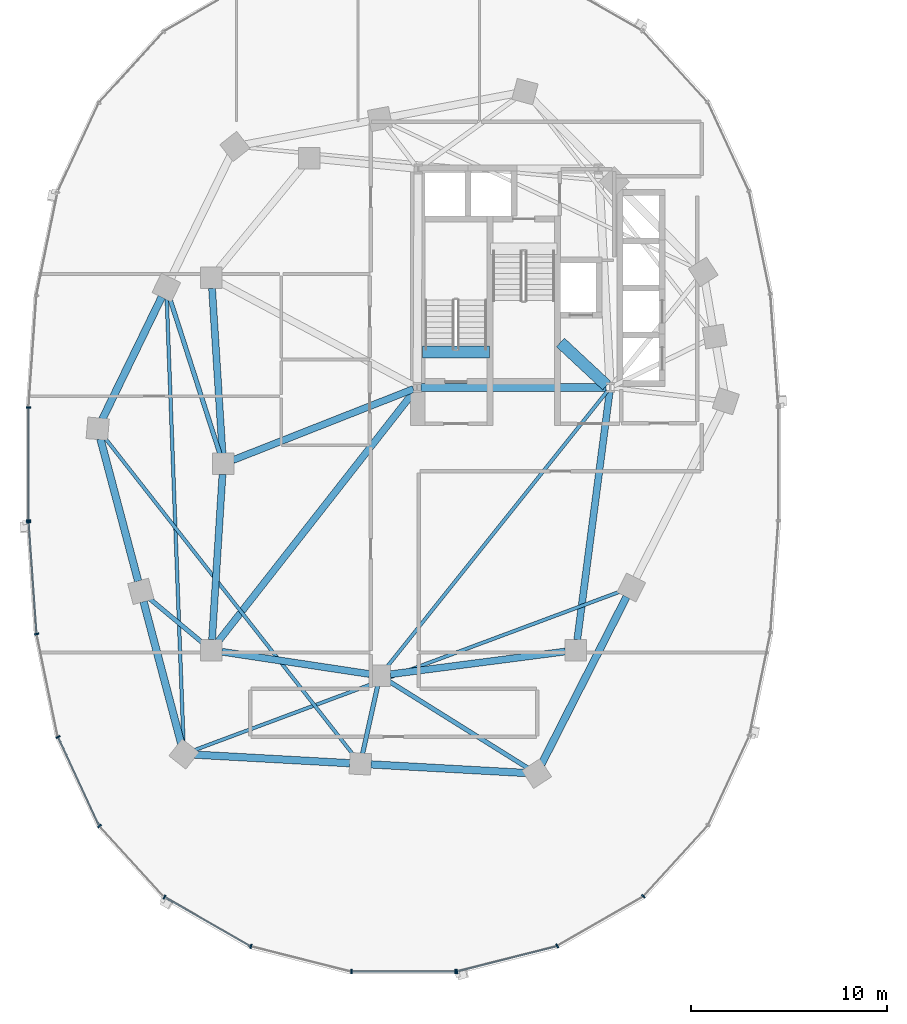
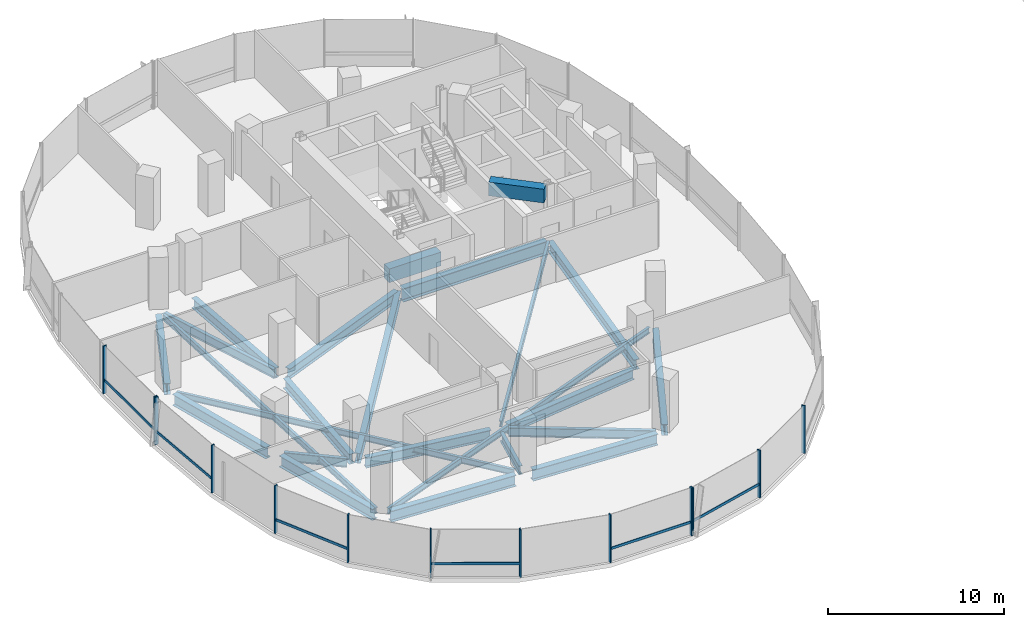
# One storey, part 2 of 21: 24 beams, 19 members, 3 elements without a shape of their own.
"""IFC4 building model written with IfcOpenShell, lengths in metres."""

from ifc_helpers import new_model, si_unit, direction, frame, origin, origin_2d, place, context, subcontext, project, spatial, rectangle, i_section, extrude, material, material_profile, profile_set, type_object, element, aggregate, save


model = new_model("IFC4")

# Units and contexts
model_context = context("Model", 3, precision=1e-05, world=origin(), true_north=direction((0.0, 1.0)))
body_context = subcontext(model_context, "Body", "Model", "MODEL_VIEW")
ifc_project = project(units=[si_unit("LENGTHUNIT", "METRE"), si_unit("AREAUNIT", "SQUARE_METRE"), si_unit("VOLUMEUNIT", "CUBIC_METRE"), si_unit("PLANEANGLEUNIT", "RADIAN"), si_unit("MASSUNIT", "GRAM", prefix="KILO"), si_unit("THERMODYNAMICTEMPERATUREUNIT", "KELVIN"), si_unit("POWERUNIT", "WATT")], contexts=[model_context])

# Site, building, storey
site_placement = place(None, origin())
site = spatial("IfcSite", under=ifc_project, at=site_placement, CompositionType="ELEMENT")
building_placement = place(site_placement, origin())
building = spatial("IfcBuilding", under=site, at=building_placement, Name="Cundina Bronze Exchange", CompositionType="ELEMENT")
storey_placement = place(building_placement, frame((0.0, 0.0, 96.199951171875)))
storey = spatial("IfcBuildingStorey", under=building, at=storey_placement, Name="L24", CompositionType="ELEMENT", Elevation=96.199951171875)

# Beams
ifc_material_1 = material(Name="Concrete C60/75", Category="concrete")
ifc_material_profile_1 = material_profile(ifc_material_1, rectangle(XDim=0.60009765625, YDim=0.949951171875, at=origin_2d()), Name="RC600X950", Category="concrete")
ifc_profile_set_1 = profile_set([ifc_material_profile_1], Name="Concrete C60/75")
beam_type_1 = type_object("IfcBeamType", Name="BM-COUP-RC950", PredefinedType="LINTEL", material=ifc_profile_set_1)
beam_1_placement = place(storey_placement, frame((-31.02001953125, 5.719970703125, -0.474853515625), z_axis=(1.0, 0.0, 0.0), x_axis=(0.0, 1.0, 0.0)))
element("IfcBeam", 1, at=beam_1_placement, inside=storey, type_object=beam_type_1, Name="L24 Stair W1 Landing Header Beam", PredefinedType="LINTEL", context=body_context, shape_type="SweptSolid", body=[
    extrude(rectangle(XDim=0.60009765625, YDim=0.949951171875, at=origin_2d()), origin(), (0.0, 0.0, 1.0), 3.39990234375),
])
beam_2_placement = place(storey_placement, frame((-23.989990234375, 6.199951171875, 2.824951171875), z_axis=(0.731490439815, -0.681851696822, 0.0), x_axis=(0.681851696822, 0.731490439815, 0.0)))
element("IfcBeam", 2, at=beam_2_placement, inside=storey, type_object=beam_type_1, Name="L24 W Core Shear Coupling Lintel Beam", PredefinedType="LINTEL", context=body_context, shape_type="SweptSolid", body=[
    extrude(rectangle(XDim=0.60009765625, YDim=0.949951171875, at=origin_2d()), origin(), (0.0, 0.0, 1.0), 3.226318359375),
])
ifc_material_2 = material(Name="Steel ASTM A992 Grade 50", Category="steel")
ifc_material_profile_2 = material_profile(ifc_material_2, i_section(OverallWidth=0.22998046875, OverallDepth=0.616943359375, WebThickness=0.01318359375, FlangeThickness=0.022216796875, FilletRadius=0.013916015625, at=origin_2d()), Name="W24X94", Category="steel")
ifc_profile_set_2 = profile_set([ifc_material_profile_2], Name="Steel ASTM A992 Grade 50")
beam_type_2 = type_object("IfcBeamType", Name="BM-FLR-W24B", PredefinedType="BEAM", material=ifc_profile_set_2)
beam_3_placement = place(storey_placement, frame((-41.364990234375, 0.51220703125, -0.6083984375), z_axis=(-0.306710777581, 0.951802762612, 0.0), x_axis=(-0.951802762612, -0.306710777581, 0.0)))
element("IfcBeam", 3, at=beam_3_placement, inside=storey, type_object=beam_type_2, Name="L24 Leg W Radial Floor Beam 07", PredefinedType="BEAM", context=body_context, shape_type="SweptSolid", body=[
    extrude(i_section(OverallWidth=0.22998046875, OverallDepth=0.616943359375, WebThickness=0.01318359375, FlangeThickness=0.022216796875, FilletRadius=0.013916015625, at=origin_2d()), origin(), (0.0, 0.0, 1.0), 8.37939453125),
])
beam_4_placement = place(storey_placement, frame((-42.21337890625, -9.155517578125, -0.6083984375), z_axis=(-0.768243451945, 0.640157791911, 0.0), x_axis=(-0.640157791911, -0.768243451945, 0.0)))
element("IfcBeam", 4, at=beam_4_placement, inside=storey, type_object=beam_type_2, Name="L24 Leg W Radial Floor Beam 09", PredefinedType="BEAM", context=body_context, shape_type="SweptSolid", body=[
    extrude(i_section(OverallWidth=0.22998046875, OverallDepth=0.616943359375, WebThickness=0.01318359375, FlangeThickness=0.022216796875, FilletRadius=0.013916015625, at=origin_2d()), origin(), (0.0, 0.0, 1.0), 3.610107421875),
])
beam_5_placement = place(storey_placement, frame((-33.316650390625, -11.3251953125, -0.6083984375), z_axis=(-0.216930457819, -0.976187060184, 0.0), x_axis=(0.976187060184, -0.216930457819, 0.0)))
element("IfcBeam", 5, at=beam_5_placement, inside=storey, type_object=beam_type_2, Name="L24 Leg W Radial Floor Beam 11", PredefinedType="BEAM", context=body_context, shape_type="SweptSolid", body=[
    extrude(i_section(OverallWidth=0.22998046875, OverallDepth=0.616943359375, WebThickness=0.01318359375, FlangeThickness=0.022216796875, FilletRadius=0.013916015625, at=origin_2d()), origin(), (0.0, 0.0, 1.0), 3.533935546875),
])
beam_6_placement = place(storey_placement, frame((-32.743896484375, -11.085205078125, -0.6083984375), z_axis=(0.848003227047, -0.529991063055, 0.0), x_axis=(0.529991063055, 0.848003227047, 0.0)))
element("IfcBeam", 6, at=beam_6_placement, inside=storey, type_object=beam_type_2, Name="L24 Leg W Radial Floor Beam 12", PredefinedType="BEAM", context=body_context, shape_type="SweptSolid", body=[
    extrude(i_section(OverallWidth=0.22998046875, OverallDepth=0.616943359375, WebThickness=0.01318359375, FlangeThickness=0.022216796875, FilletRadius=0.013916015625, at=origin_2d()), origin(), (0.0, 0.0, 1.0), 8.358154296875),
])
ifc_material_profile_3 = material_profile(ifc_material_2, i_section(OverallWidth=0.178955078125, OverallDepth=0.409912109375, WebThickness=0.0087890625, FlangeThickness=0.014404296875, FilletRadius=0.010986328125, at=origin_2d()), Name="W16X45", Category="steel")
ifc_profile_set_3 = profile_set([ifc_material_profile_3], Name="Steel ASTM A992 Grade 50")
beam_type_3 = type_object("IfcBeamType", Name="BM-JST-W16", PredefinedType="JOIST", material=ifc_profile_set_3)
beam_7_placement = place(storey_placement, frame((-21.577392578125, 3.740478515625, -0.5048828125), z_axis=(-0.62436887964, -0.781129632095, 0.0), x_axis=(0.781129632095, -0.62436887964, 0.0)))
element("IfcBeam", 7, at=beam_7_placement, inside=storey, type_object=beam_type_3, Name="L24 W Interior Core-to-Ring Joist 2", PredefinedType="JOIST", context=body_context, shape_type="SweptSolid", body=[
    extrude(i_section(OverallWidth=0.178955078125, OverallDepth=0.409912109375, WebThickness=0.0087890625, FlangeThickness=0.014404296875, FilletRadius=0.010986328125, at=origin_2d()), origin(), (0.0, 0.0, 1.0), 18.076904296875),
])
beam_8_placement = place(storey_placement, frame((-44.07958984375, 8.46240234375, -0.5048828125), z_axis=(0.03778951385, -0.999285721224, 0.0), x_axis=(0.999285721224, 0.03778951385, 0.0)))
element("IfcBeam", 8, at=beam_8_placement, inside=storey, type_object=beam_type_3, Name="L24 Leg W Lobe Floor Joist 07-10", PredefinedType="JOIST", context=body_context, shape_type="SweptSolid", body=[
    extrude(i_section(OverallWidth=0.178955078125, OverallDepth=0.409912109375, WebThickness=0.0087890625, FlangeThickness=0.014404296875, FilletRadius=0.010986328125, at=origin_2d()), origin(), (0.0, 0.0, 1.0), 22.7412109375),
])
beam_9_placement = place(storey_placement, frame((-47.268310546875, 1.37646484375, -0.5048828125), z_axis=(0.616815348306, -0.787107887201, 0.0), x_axis=(0.787107887201, 0.616815348306, 0.0)))
element("IfcBeam", 9, at=beam_9_placement, inside=storey, type_object=beam_type_3, Name="L24 Leg W Lobe Floor Joist 08-11", PredefinedType="JOIST", context=body_context, shape_type="SweptSolid", body=[
    extrude(i_section(OverallWidth=0.178955078125, OverallDepth=0.409912109375, WebThickness=0.0087890625, FlangeThickness=0.014404296875, FilletRadius=0.010986328125, at=origin_2d()), origin(), (0.0, 0.0, 1.0), 20.64892578125),
])
beam_10_placement = place(storey_placement, frame((-42.69580078125, -14.6123046875, -0.5048828125), z_axis=(0.937127917421, 0.348986054721, 0.0), x_axis=(-0.348986054721, 0.937127917421, 0.0)))
element("IfcBeam", 10, at=beam_10_placement, inside=storey, type_object=beam_type_3, Name="L24 Leg W Lobe Floor Joist 10-13", PredefinedType="JOIST", context=body_context, shape_type="SweptSolid", body=[
    extrude(i_section(OverallWidth=0.178955078125, OverallDepth=0.409912109375, WebThickness=0.0087890625, FlangeThickness=0.014404296875, FilletRadius=0.010986328125, at=origin_2d()), origin(), (0.0, 0.0, 1.0), 23.2802734375),
])
ifc_material_profile_4 = material_profile(ifc_material_2, i_section(OverallWidth=0.35498046875, OverallDepth=0.695068359375, WebThickness=0.015380859375, FlangeThickness=0.02490234375, FilletRadius=0.01806640625, at=origin_2d()), Name="W27X146", Category="steel")
ifc_profile_set_4 = profile_set([ifc_material_profile_4], Name="Steel ASTM A992 Grade 50")
beam_type_4 = type_object("IfcBeamType", Name="BM-RING-W27", PredefinedType="USERDEFINED", material=ifc_profile_set_4)
for number, where, z_axis, x_axis, name in (
    (11, (-41.76611328125, 8.963134765625, -0.6474609375), (0.06303715519, -0.998011180832, 0.0), (0.998011180832, 0.06303715519, 0.0), "L24 W Inner Structural Ring Girder 03"),
    (12, (-41.23388671875, -0.536865234375, -0.6474609375), (-0.06303715519, -0.998011180832, 0.0), (0.998011180832, -0.06303715519, 0.0), "L24 W Inner Structural Ring Girder 04"),
):
    element("IfcBeam", number, at=place(storey_placement, frame(where, z_axis=z_axis, x_axis=x_axis)), inside=storey, type_object=beam_type_4, Name=name, ObjectType="GIRDER", PredefinedType="USERDEFINED", context=body_context, shape_type="SweptSolid", body=[
        extrude(i_section(OverallWidth=0.35498046875, OverallDepth=0.695068359375, WebThickness=0.015380859375, FlangeThickness=0.02490234375, FilletRadius=0.01806640625, at=origin_2d()), origin(), (0.0, 0.0, 1.0), 8.443115234375),
    ])
beam_11_placement = place(storey_placement, frame((-41.26806640625, -9.580322265625, -0.6474609375), z_axis=(0.988767489563, -0.149461873341, 0.0), x_axis=(0.149461873341, 0.988767489563, 0.0)))
element("IfcBeam", 13, at=beam_11_placement, inside=storey, type_object=beam_type_4, Name="L24 W Inner Structural Ring Girder 05", ObjectType="GIRDER", PredefinedType="USERDEFINED", context=body_context, shape_type="SweptSolid", body=[
    extrude(i_section(OverallWidth=0.35498046875, OverallDepth=0.695068359375, WebThickness=0.015380859375, FlangeThickness=0.02490234375, FilletRadius=0.01806640625, at=origin_2d()), origin(), (0.0, 0.0, 1.0), 7.621826171875),
])
beam_12_placement = place(storey_placement, frame((-32.66650390625, -10.730712890625, -0.6474609375), z_axis=(0.991654577907, 0.128923225666, 0.0), x_axis=(-0.128923225666, 0.991654577907, 0.0)))
element("IfcBeam", 14, at=beam_12_placement, inside=storey, type_object=beam_type_4, Name="L24 W Inner Structural Ring Girder 06", ObjectType="GIRDER", PredefinedType="USERDEFINED", context=body_context, shape_type="SweptSolid", body=[
    extrude(i_section(OverallWidth=0.35498046875, OverallDepth=0.695068359375, WebThickness=0.015380859375, FlangeThickness=0.02490234375, FilletRadius=0.01806640625, at=origin_2d()), origin(), (0.0, 0.0, 1.0), 9.00830078125),
])
beam_13_placement = place(storey_placement, frame((-23.13037109375, -8.966552734375, -0.6474609375), z_axis=(0.129507526533, 0.99157843894, 0.0), x_axis=(-0.99157843894, 0.129507526533, 0.0)))
element("IfcBeam", 15, at=beam_13_placement, inside=storey, type_object=beam_type_4, Name="L24 W Inner Structural Ring Girder 07", ObjectType="GIRDER", PredefinedType="USERDEFINED", context=body_context, shape_type="SweptSolid", body=[
    extrude(i_section(OverallWidth=0.35498046875, OverallDepth=0.695068359375, WebThickness=0.015380859375, FlangeThickness=0.02490234375, FilletRadius=0.01806640625, at=origin_2d()), origin(), (0.0, 0.0, 1.0), 12.77197265625),
])
beam_14_placement = place(storey_placement, frame((-31.48974609375, 3.8251953125, -0.6474609375), z_axis=(-0.930413235418, -0.366512225388, 0.0), x_axis=(0.366512225388, -0.930413235418, 0.0)))
element("IfcBeam", 16, at=beam_14_placement, inside=storey, type_object=beam_type_4, Name="L24 W Core-to-Waist Tie Beam 1", ObjectType="GIRDER", PredefinedType="USERDEFINED", context=body_context, shape_type="SweptSolid", body=[
    extrude(i_section(OverallWidth=0.35498046875, OverallDepth=0.695068359375, WebThickness=0.015380859375, FlangeThickness=0.02490234375, FilletRadius=0.01806640625, at=origin_2d()), origin(), (0.0, 0.0, 1.0), 9.8984375),
])
beam_15_placement = place(storey_placement, frame((-31.42578125, 3.739501953125, -0.6474609375), z_axis=(-0.616789275748, -0.787128318206, 0.0), x_axis=(0.787128318206, -0.616789275748, 0.0)))
element("IfcBeam", 17, at=beam_15_placement, inside=storey, type_object=beam_type_4, Name="L24 W Core-to-Waist Tie Beam 3", ObjectType="GIRDER", PredefinedType="USERDEFINED", context=body_context, shape_type="SweptSolid", body=[
    extrude(i_section(OverallWidth=0.35498046875, OverallDepth=0.695068359375, WebThickness=0.015380859375, FlangeThickness=0.02490234375, FilletRadius=0.01806640625, at=origin_2d()), origin(), (0.0, 0.0, 1.0), 16.281982421875),
])
ifc_material_profile_5 = material_profile(ifc_material_2, i_section(OverallWidth=0.381103515625, OverallDepth=0.77294921875, WebThickness=0.0166015625, FlangeThickness=0.027099609375, FilletRadius=0.01904296875, at=origin_2d()), Name="W30X173", Category="steel")
ifc_profile_set_5 = profile_set([ifc_material_profile_5], Name="Steel ASTM A992 Grade 50")
beam_type_5 = type_object("IfcBeamType", Name="BM-RING-W30", PredefinedType="USERDEFINED", material=ifc_profile_set_5)
beam_16_placement = place(storey_placement, frame((-44.335205078125, 8.51611328125, -0.6865234375), z_axis=(-0.437193894283, -0.899367276924, 0.0), x_axis=(0.899367276924, -0.437193894283, 0.0)))
element("IfcBeam", 18, at=beam_16_placement, inside=storey, type_object=beam_type_5, Name="L24 W Perimeter Ring Girder 07", ObjectType="GIRDER", PredefinedType="USERDEFINED", context=body_context, shape_type="SweptSolid", body=[
    extrude(i_section(OverallWidth=0.381103515625, OverallDepth=0.77294921875, WebThickness=0.0166015625, FlangeThickness=0.027099609375, FilletRadius=0.01904296875, at=origin_2d()), origin(), (0.0, 0.0, 1.0), 6.929443359375),
])
for number, where, z_axis, x_axis, name in (
    (19, (-47.462158203125, 1.280029296875, -0.6865234375), (0.256209719931, -0.966621218168, 0.0), (0.966621218168, 0.256209719931, 0.0), "L24 W Perimeter Ring Girder 08"),
    (20, (-45.26220703125, -7.02001953125, -0.6865234375), (0.256209719931, -0.966621218168, 0.0), (0.966621218168, 0.256209719931, 0.0), "L24 W Perimeter Ring Girder 09"),
):
    element("IfcBeam", number, at=place(storey_placement, frame(where, z_axis=z_axis, x_axis=x_axis)), inside=storey, type_object=beam_type_5, Name=name, ObjectType="GIRDER", PredefinedType="USERDEFINED", context=body_context, shape_type="SweptSolid", body=[
        extrude(i_section(OverallWidth=0.381103515625, OverallDepth=0.77294921875, WebThickness=0.0166015625, FlangeThickness=0.027099609375, FilletRadius=0.01904296875, at=origin_2d()), origin(), (0.0, 0.0, 1.0), 7.5107421875),
    ])
for number, where, z_axis, x_axis, name in (
    (21, (-42.662841796875, -14.829833984375, -0.6865234375), (0.99845950136, -0.055485350721, 0.0), (0.055485350721, 0.99845950136, 0.0), "L24 W Perimeter Ring Girder 10"),
    (22, (-33.662841796875, -15.329833984375, -0.6865234375), (0.99845950136, -0.055485350721, 0.0), (0.055485350721, 0.99845950136, 0.0), "L24 W Perimeter Ring Girder 11"),
):
    element("IfcBeam", number, at=place(storey_placement, frame(where, z_axis=z_axis, x_axis=x_axis)), inside=storey, type_object=beam_type_5, Name=name, ObjectType="GIRDER", PredefinedType="USERDEFINED", context=body_context, shape_type="SweptSolid", body=[
        extrude(i_section(OverallWidth=0.381103515625, OverallDepth=0.77294921875, WebThickness=0.0166015625, FlangeThickness=0.027099609375, FilletRadius=0.01904296875, at=origin_2d()), origin(), (0.0, 0.0, 1.0), 7.937744140625),
    ])
beam_17_placement = place(storey_placement, frame((-24.956298828125, -15.3203125, -0.6865234375), z_axis=(0.452832332744, 0.891595692241, 0.0), x_axis=(-0.891595692241, 0.452832332744, 0.0)))
element("IfcBeam", 23, at=beam_17_placement, inside=storey, type_object=beam_type_5, Name="L24 W Perimeter Ring Girder 12", ObjectType="GIRDER", PredefinedType="USERDEFINED", context=body_context, shape_type="SweptSolid", body=[
    extrude(i_section(OverallWidth=0.381103515625, OverallDepth=0.77294921875, WebThickness=0.0166015625, FlangeThickness=0.027099609375, FilletRadius=0.01904296875, at=origin_2d()), origin(), (0.0, 0.0, 1.0), 9.578857421875),
])
ifc_material_profile_6 = material_profile(ifc_material_2, i_section(OverallWidth=0.41796875, OverallDepth=0.927001953125, WebThickness=0.019287109375, FlangeThickness=0.031982421875, FilletRadius=0.02392578125, at=origin_2d()), Name="W36X231", Category="steel")
ifc_profile_set_6 = profile_set([ifc_material_profile_6], Name="Steel ASTM A992 Grade 50")
beam_type_6 = type_object("IfcBeamType", Name="BM-WRN-W36B", PredefinedType="USERDEFINED", material=ifc_profile_set_6)
beam_18_placement = place(storey_placement, frame((-31.095947265625, 3.89990234375, -0.763427734375), z_axis=(1.0, 0.0, 0.0), x_axis=(0.0, 1.0, 0.0)))
element("IfcBeam", 24, at=beam_18_placement, inside=storey, type_object=beam_type_6, Name="L24 W Core Perimeter Tie Girder 1", ObjectType="GIRDER", PredefinedType="USERDEFINED", context=body_context, shape_type="SweptSolid", body=[
    extrude(i_section(OverallWidth=0.41796875, OverallDepth=0.927001953125, WebThickness=0.019287109375, FlangeThickness=0.031982421875, FilletRadius=0.02392578125, at=origin_2d()), origin(), (0.0, 0.0, 1.0), 9.44189453125),
])

# Curtain wall, members
ifc_material_3 = material(Name="Anodised Bronze Aluminium 6063-T6", Category="aluminium")
curtain_wall_type = type_object("IfcCurtainWallType", Name="CWS-TRD-MID", PredefinedType="NOTDEFINED", material=ifc_material_3)
curtain_wall_1_placement = place(storey_placement, origin())
curtain_wall_1 = element("IfcCurtainWall", 25, at=curtain_wall_1_placement, inside=storey, type_object=curtain_wall_type, Name="L24 CW-03 Curtain Wall Run CWR-L24-W2", PredefinedType="NOTDEFINED")
ifc_material_profile_7 = material_profile(ifc_material_3, rectangle(XDim=0.074951171875, YDim=0.219970703125, at=origin_2d()), Name="AL75X220", Category="aluminium")
ifc_profile_set_7 = profile_set([ifc_material_profile_7], Name="Anodised Bronze Aluminium 6063-T6")
member_type_1 = type_object("IfcMemberType", Name="CWM-MUL-220", PredefinedType="MULLION", material=ifc_profile_set_7)
member_1_placement = place(storey_placement, frame((-51.1279296875, 2.880615234375, 0.0), z_axis=(0.0, 0.0, 1.0), x_axis=(0.0, -1.0, 0.0)))
member_1 = element("IfcMember", 26, at=member_1_placement, type_object=member_type_1, Name="CW-03 Mullion 7", PredefinedType="MULLION", context=body_context, shape_type="SweptSolid", body=[
    extrude(rectangle(XDim=0.074951171875, YDim=0.219970703125, at=origin_2d()), origin(), (0.0, 0.0, 1.0), 3.300048828125),
])
member_2_placement = place(storey_placement, frame((-51.1279296875, -2.880615234375, 0.0), z_axis=(0.0, 0.0, 1.0), x_axis=(0.0, -1.0, 0.0)))
member_2 = element("IfcMember", 27, at=member_2_placement, type_object=member_type_1, Name="CW-03 End Mullion", PredefinedType="MULLION", context=body_context, shape_type="SweptSolid", body=[
    extrude(rectangle(XDim=0.074951171875, YDim=0.219970703125, at=origin_2d()), origin(), (0.0, 0.0, 1.0), 3.300048828125),
])

curtain_wall_2_placement = place(storey_placement, origin())
curtain_wall_2 = element("IfcCurtainWall", 28, at=curtain_wall_2_placement, inside=storey, type_object=curtain_wall_type, Name="L24 CW-03 Curtain Wall Run CWR-L24-W3", PredefinedType="NOTDEFINED")
member_3_placement = place(storey_placement, frame((-51.12451171875, -2.976318359375, 0.0), z_axis=(0.0, 0.0, 1.0), x_axis=(0.070278787473, -0.997527389113, 0.0)))
member_3 = element("IfcMember", 29, at=member_3_placement, type_object=member_type_1, Name="CW-03 Mullion 1", PredefinedType="MULLION", context=body_context, shape_type="SweptSolid", body=[
    extrude(rectangle(XDim=0.074951171875, YDim=0.219970703125, at=origin_2d()), origin(), (0.0, 0.0, 1.0), 3.300048828125),
])
member_4_placement = place(storey_placement, frame((-50.717041015625, -8.67822265625, 0.0), z_axis=(0.0, 0.0, 1.0), x_axis=(0.201419845156, -0.979505000486, 0.0)))
member_4 = element("IfcMember", 30, at=member_4_placement, type_object=member_type_1, Name="CW-03 Mullion 2", PredefinedType="MULLION", context=body_context, shape_type="SweptSolid", body=[
    extrude(rectangle(XDim=0.074951171875, YDim=0.219970703125, at=origin_2d()), origin(), (0.0, 0.0, 1.0), 3.300048828125),
])
member_5_placement = place(storey_placement, frame((-49.6279296875, -13.931884765625, 0.0), z_axis=(0.0, 0.0, 1.0), x_axis=(0.42087749791, -0.907117485088, 0.0)))
member_5 = element("IfcMember", 31, at=member_5_placement, type_object=member_type_1, Name="CW-03 Mullion 3", PredefinedType="MULLION", context=body_context, shape_type="SweptSolid", body=[
    extrude(rectangle(XDim=0.074951171875, YDim=0.219970703125, at=origin_2d()), origin(), (0.0, 0.0, 1.0), 3.300048828125),
])
member_6_placement = place(storey_placement, frame((-47.508544921875, -18.47705078125, 0.0), z_axis=(0.0, 0.0, 1.0), x_axis=(0.674302387584, -0.738455340626, 0.0)))
member_6 = element("IfcMember", 32, at=member_6_placement, type_object=member_type_1, Name="CW-03 Mullion 4", PredefinedType="MULLION", context=body_context, shape_type="SweptSolid", body=[
    extrude(rectangle(XDim=0.074951171875, YDim=0.219970703125, at=origin_2d()), origin(), (0.0, 0.0, 1.0), 3.300048828125),
])
member_7_placement = place(storey_placement, frame((-44.189697265625, -22.097412109375, 0.0), z_axis=(0.0, 0.0, 1.0), x_axis=(0.867070701164, -0.498185105339, 0.0)))
member_7 = element("IfcMember", 33, at=member_7_placement, type_object=member_type_1, Name="CW-03 Mullion 5", PredefinedType="MULLION", context=body_context, shape_type="SweptSolid", body=[
    extrude(rectangle(XDim=0.074951171875, YDim=0.219970703125, at=origin_2d()), origin(), (0.0, 0.0, 1.0), 3.300048828125),
])
member_8_placement = place(storey_placement, frame((-39.78515625, -24.61669921875, 0.0), z_axis=(0.0, 0.0, 1.0), x_axis=(0.969488149345, -0.245138182011, 0.0)))
member_8 = element("IfcMember", 34, at=member_8_placement, type_object=member_type_1, Name="CW-03 Mullion 6", PredefinedType="MULLION", context=body_context, shape_type="SweptSolid", body=[
    extrude(rectangle(XDim=0.074951171875, YDim=0.219970703125, at=origin_2d()), origin(), (0.0, 0.0, 1.0), 3.300048828125),
])
member_9_placement = place(storey_placement, frame((-34.654541015625, -25.905029296875, 0.0), z_axis=(0.0, 0.0, 1.0), x_axis=(1.0, 0.0, 0.0)))
member_9 = element("IfcMember", 35, at=member_9_placement, type_object=member_type_1, Name="CW-03 Mullion 7", PredefinedType="MULLION", context=body_context, shape_type="SweptSolid", body=[
    extrude(rectangle(XDim=0.074951171875, YDim=0.219970703125, at=origin_2d()), origin(), (0.0, 0.0, 1.0), 3.300048828125),
])
member_10_placement = place(storey_placement, frame((-29.345458984375, -25.905029296875, 0.0), z_axis=(0.0, 0.0, 1.0), x_axis=(1.0, 0.0, 0.0)))
member_10 = element("IfcMember", 36, at=member_10_placement, type_object=member_type_1, Name="CW-03 End Mullion", PredefinedType="MULLION", context=body_context, shape_type="SweptSolid", body=[
    extrude(rectangle(XDim=0.074951171875, YDim=0.219970703125, at=origin_2d()), origin(), (0.0, 0.0, 1.0), 3.300048828125),
])

curtain_wall_3_placement = place(storey_placement, origin())
curtain_wall_3 = element("IfcCurtainWall", 37, at=curtain_wall_3_placement, inside=storey, type_object=curtain_wall_type, Name="L24 CW-03 Curtain Wall Run CWR-L24-W4", PredefinedType="NOTDEFINED")
member_11_placement = place(storey_placement, frame((-29.27392578125, -25.89599609375, 0.0), z_axis=(0.0, 0.0, 1.0), x_axis=(0.969488149345, 0.245138182011, 0.0)))
member_11 = element("IfcMember", 38, at=member_11_placement, type_object=member_type_1, Name="CW-03 Mullion 1", PredefinedType="MULLION", context=body_context, shape_type="SweptSolid", body=[
    extrude(rectangle(XDim=0.074951171875, YDim=0.219970703125, at=origin_2d()), origin(), (0.0, 0.0, 1.0), 3.300048828125),
])
member_12_placement = place(storey_placement, frame((-24.151123046875, -24.591064453125, 0.0), z_axis=(0.0, 0.0, 1.0), x_axis=(0.867070701164, 0.498185105339, 0.0)))
member_12 = element("IfcMember", 39, at=member_12_placement, type_object=member_type_1, Name="CW-03 Mullion 2", PredefinedType="MULLION", context=body_context, shape_type="SweptSolid", body=[
    extrude(rectangle(XDim=0.074951171875, YDim=0.219970703125, at=origin_2d()), origin(), (0.0, 0.0, 1.0), 3.300048828125),
])
member_13_placement = place(storey_placement, frame((-19.760498046875, -22.0576171875, 0.0), z_axis=(0.0, 0.0, 1.0), x_axis=(0.674302387584, 0.738455340626, 0.0)))
member_13 = element("IfcMember", 40, at=member_13_placement, type_object=member_type_1, Name="CW-03 Mullion 3", PredefinedType="MULLION", context=body_context, shape_type="SweptSolid", body=[
    extrude(rectangle(XDim=0.074951171875, YDim=0.219970703125, at=origin_2d()), origin(), (0.0, 0.0, 1.0), 3.300048828125),
])

# Member
ifc_material_profile_8 = material_profile(ifc_material_3, rectangle(XDim=0.070068359375, YDim=0.179931640625, at=origin_2d()), Name="AL70X180", Category="aluminium")
ifc_profile_set_8 = profile_set([ifc_material_profile_8], Name="Anodised Bronze Aluminium 6063-T6")
member_type_2 = type_object("IfcMemberType", Name="CWM-TRN-180", PredefinedType="USERDEFINED", material=ifc_profile_set_8)
member_14_placement = place(storey_placement, frame((-51.1279296875, 2.839111328125, 0.920166015625), z_axis=(0.0, -1.0, 0.0), x_axis=(1.0, 0.0, 0.0)))
member_14 = element("IfcMember", 41, at=member_14_placement, type_object=member_type_2, Name="CW-03 Spandrel Transom 7", ObjectType="TRANSOM", PredefinedType="USERDEFINED", context=body_context, shape_type="SweptSolid", body=[
    extrude(rectangle(XDim=0.070068359375, YDim=0.179931640625, at=origin_2d()), origin(), (0.0, 0.0, 1.0), 5.67822265625),
])

aggregate(curtain_wall_1, [member_1, member_2, member_14])

member_15_placement = place(storey_placement, frame((-51.12158203125, -3.017333984375, 0.920166015625), z_axis=(0.070260714471, -0.997528662246, 0.0), x_axis=(0.997528662246, 0.070260714471, 0.0)))
member_15 = element("IfcMember", 42, at=member_15_placement, type_object=member_type_2, Name="CW-03 Spandrel Transom 1", ObjectType="TRANSOM", PredefinedType="USERDEFINED", context=body_context, shape_type="SweptSolid", body=[
    extrude(rectangle(XDim=0.070068359375, YDim=0.179931640625, at=origin_2d()), origin(), (0.0, 0.0, 1.0), 5.629150390625),
])

member_16_placement = place(storey_placement, frame((-49.610595703125, -13.96923828125, 0.920166015625), z_axis=(0.420811422796, -0.907148139195, 0.0), x_axis=(0.907148139195, 0.420811422796, 0.0)))
member_16 = element("IfcMember", 43, at=member_16_placement, type_object=member_type_2, Name="CW-03 Spandrel Transom 3", ObjectType="TRANSOM", PredefinedType="USERDEFINED", context=body_context, shape_type="SweptSolid", body=[
    extrude(rectangle(XDim=0.070068359375, YDim=0.179931640625, at=origin_2d()), origin(), (0.0, 0.0, 1.0), 4.95166015625),
])

member_17_placement = place(storey_placement, frame((-44.154052734375, -22.117919921875, 0.920166015625), z_axis=(0.867097475651, -0.498138502546, 0.0), x_axis=(0.498138502546, 0.867097475651, 0.0)))
member_17 = element("IfcMember", 44, at=member_17_placement, type_object=member_type_2, Name="CW-03 Spandrel Transom 5", ObjectType="TRANSOM", PredefinedType="USERDEFINED", context=body_context, shape_type="SweptSolid", body=[
    extrude(rectangle(XDim=0.070068359375, YDim=0.179931640625, at=origin_2d()), origin(), (0.0, 0.0, 1.0), 5.00634765625),
])

member_18_placement = place(storey_placement, frame((-34.61328125, -25.905029296875, 0.920166015625), z_axis=(1.0, 0.0, 0.0), x_axis=(0.0, 1.0, 0.0)))
member_18 = element("IfcMember", 45, at=member_18_placement, type_object=member_type_2, Name="CW-03 Spandrel Transom 7", ObjectType="TRANSOM", PredefinedType="USERDEFINED", context=body_context, shape_type="SweptSolid", body=[
    extrude(rectangle(XDim=0.070068359375, YDim=0.179931640625, at=origin_2d()), origin(), (0.0, 0.0, 1.0), 5.2265625),
])

aggregate(curtain_wall_2, [member_3, member_15, member_4, member_5, member_16, member_6, member_7, member_17, member_8, member_9, member_10, member_18])

member_19_placement = place(storey_placement, frame((-29.23388671875, -25.885986328125, 0.920166015625), z_axis=(0.969483968866, 0.245154714644, 0.0), x_axis=(-0.245154714644, 0.969483968866, 0.0)))
member_19 = element("IfcMember", 46, at=member_19_placement, type_object=member_type_2, Name="CW-03 Spandrel Transom 1", ObjectType="TRANSOM", PredefinedType="USERDEFINED", context=body_context, shape_type="SweptSolid", body=[
    extrude(rectangle(XDim=0.070068359375, YDim=0.179931640625, at=origin_2d()), origin(), (0.0, 0.0, 1.0), 5.21826171875),
])

aggregate(curtain_wall_3, [member_11, member_19, member_12, member_13])

save(model, "model.ifc")
